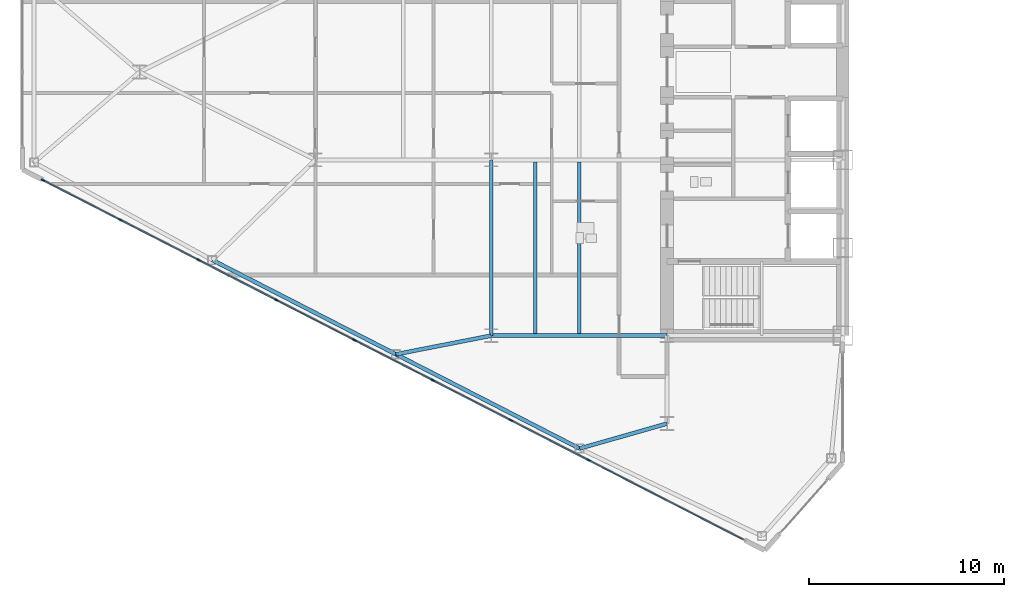
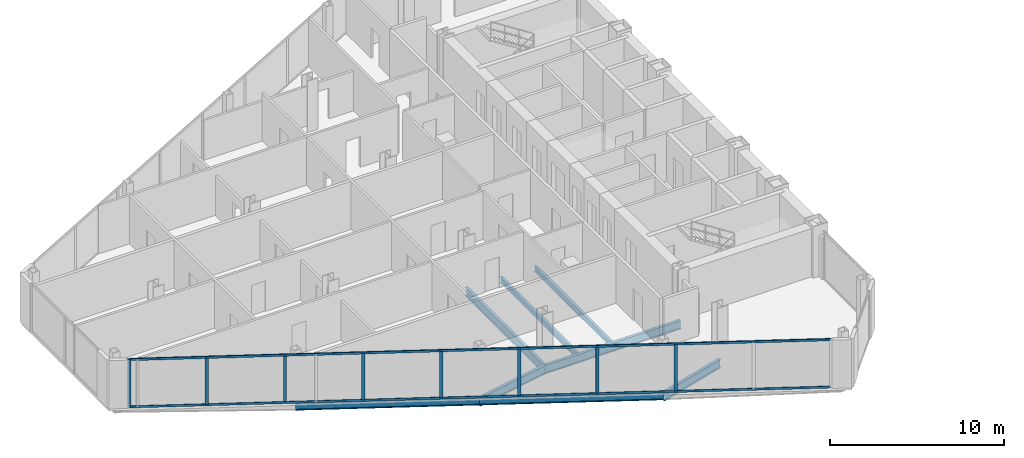
# One storey, part 3 of 24: 10 members, 8 beams, 1 element without a shape of its own.
"""IFC4 building model written with IfcOpenShell, lengths in metres."""

from ifc_helpers import new_model, si_unit, direction, frame, origin, origin_2d, place, context, subcontext, project, spatial, rectangle, i_section, extrude, source, transform, mapped, material, layer, layer_set, material_profile, profile_set, type_object, type_shapes, element, aggregate, save


model = new_model("IFC4")

# Units and contexts
model_context = context("Model", 3, precision=1e-05, world=origin(), true_north=direction((0.0, 1.0)))
body_context = subcontext(model_context, "Body", "Model", "MODEL_VIEW")
ifc_project = project(units=[si_unit("LENGTHUNIT", "METRE"), si_unit("AREAUNIT", "SQUARE_METRE"), si_unit("VOLUMEUNIT", "CUBIC_METRE"), si_unit("PLANEANGLEUNIT", "RADIAN"), si_unit("MASSUNIT", "GRAM", prefix="KILO")], contexts=[model_context])

# Site, building, storey
site_placement = place(None, origin())
site = spatial("IfcSite", under=ifc_project, at=site_placement, CompositionType="ELEMENT")
building_placement = place(site_placement, origin())
building = spatial("IfcBuilding", under=site, at=building_placement, Name="Seokmaru Belvedere", CompositionType="ELEMENT")
storey_placement = place(building_placement, frame((0.0, 0.0, 121.199951171875)))
storey = spatial("IfcBuildingStorey", under=building, at=storey_placement, Name="L32", CompositionType="ELEMENT", Elevation=121.199951171875)

# Beams
ifc_material_1 = material(Name="Steel SM355 (355 MPa)", Category="steel")
ifc_material_profile_1 = material_profile(ifc_material_1, i_section(OverallWidth=0.199951171875, OverallDepth=0.60009765625, WebThickness=0.010986328125, FlangeThickness=0.01708984375, at=origin_2d()), Name="H-600x200x11x17")
ifc_profile_set_1 = profile_set([ifc_material_profile_1], Name="Steel SM355 (355 MPa)")
beam_type_1 = type_object("IfcBeamType", Name="Primary Floor Girder H-600", PredefinedType="BEAM", material=ifc_profile_set_1)
shared_shape_1 = source(origin(), body_context, "Body", "SweptSolid", [
    extrude(i_section(OverallWidth=0.199951171875, OverallDepth=0.60009765625, WebThickness=0.010986328125, FlangeThickness=0.01708984375, at=origin_2d()), origin(), (0.0, 0.0, 1.0), 9.0),
])
for number, where, z_axis, x_axis, name in (
    (1, (-45.5, -13.5, -0.52001953125), (0.0, 1.0, 0.0), (-1.0, 0.0, 0.0), "L32 W Interior Grid Girder 1"),
    (2, (-45.5, -13.5, -0.52001953125), (1.0, 0.0, 0.0), (0.0, 1.0, 0.0), "L32 W Wing Primary Girder 1"),
):
    element("IfcBeam", number, at=place(storey_placement, frame(where, z_axis=z_axis, x_axis=x_axis)), inside=storey, type_object=beam_type_1, Name=name, PredefinedType="BEAM", context=body_context, shape_type="MappedRepresentation", body=[
        mapped(shared_shape_1, transform((0.0, 0.0, 0.0), scale=1.0)),
    ])
ifc_material_profile_2 = material_profile(ifc_material_1, i_section(OverallWidth=0.18505859375, OverallDepth=0.389892578125, WebThickness=0.008056640625, FlangeThickness=0.011962890625, at=origin_2d()), Name="H-390x185x8x12")
ifc_profile_set_2 = profile_set([ifc_material_profile_2], Name="Steel SM355 (355 MPa)")
beam_type_2 = type_object("IfcBeamType", Name="Secondary Floor Joist H-350", PredefinedType="JOIST", material=ifc_profile_set_2)
shared_shape_2 = source(origin(), body_context, "Body", "SweptSolid", [
    extrude(i_section(OverallWidth=0.18505859375, OverallDepth=0.389892578125, WebThickness=0.008056640625, FlangeThickness=0.011962890625, at=origin_2d()), origin(), (0.0, 0.0, 1.0), 8.7900390625),
])
type_shapes(beam_type_2, [shared_shape_2])
for number, where, z_axis, x_axis, name in (
    (3, (-43.25, -13.39501953125, -0.4150390625), (0.0, 1.0, 0.0), (-1.0, 0.0, 0.0), "L32 W Wing Inner Secondary Joist 1"),
    (4, (-41.0, -13.39501953125, -0.4150390625), (0.0, 1.0, 0.0), (-1.0, 0.0, 0.0), "L32 W Secondary Floor Joist 1"),
):
    element("IfcBeam", number, at=place(storey_placement, frame(where, z_axis=z_axis, x_axis=x_axis)), inside=storey, type_object=beam_type_2, Name=name, PredefinedType="JOIST", context=body_context, shape_type="MappedRepresentation", body=[
        mapped(shared_shape_2, transform((0.0, 0.0, 0.0), scale=1.0)),
    ])
ifc_material_profile_3 = material_profile(ifc_material_1, i_section(OverallWidth=0.199951171875, OverallDepth=0.5, WebThickness=0.010009765625, FlangeThickness=0.01611328125, at=origin_2d()), Name="H-500x200x10x16")
ifc_profile_set_3 = profile_set([ifc_material_profile_3], Name="Steel SM355 (355 MPa)")
beam_type_3 = type_object("IfcBeamType", Name="Perimeter Spandrel Beam H-500", PredefinedType="SPANDREL", material=ifc_profile_set_3)
shared_shape_3 = source(origin(), body_context, "Body", "SweptSolid", [
    extrude(i_section(OverallWidth=0.199951171875, OverallDepth=0.5, WebThickness=0.010009765625, FlangeThickness=0.01611328125, at=origin_2d()), origin(), (0.0, 0.0, 1.0), 10.56689453125),
])
type_shapes(beam_type_3, [shared_shape_3])
for number, where, z_axis, x_axis, name in (
    (5, (-40.975830078125, -19.277587890625, -0.469970703125), (-0.889701972758, 0.45654178305, 0.0), (-0.45654178305, -0.889701972758, 0.0), "L32 W Faceted Flank Spandrel S-2"),
    (6, (-50.377197265625, -14.453369140625, -0.469970703125), (-0.889692588006, 0.456560071455, 0.0), (-0.456560071455, -0.889692588006, 0.0), "L32 W Faceted Flank Spandrel S-3"),
):
    element("IfcBeam", number, at=place(storey_placement, frame(where, z_axis=z_axis, x_axis=x_axis)), inside=storey, type_object=beam_type_3, Name=name, PredefinedType="SPANDREL", context=body_context, shape_type="MappedRepresentation", body=[
        mapped(shared_shape_3, transform((0.0, 0.0, 0.0), scale=1.0)),
    ])
shared_shape_4 = source(origin(), body_context, "Body", "SweptSolid", [
    extrude(i_section(OverallWidth=0.199951171875, OverallDepth=0.60009765625, WebThickness=0.010986328125, FlangeThickness=0.01708984375, at=origin_2d()), origin(), (0.0, 0.0, 1.0), 4.654541015625),
])
beam_1_placement = place(storey_placement, frame((-40.975830078125, -19.277587890625, -0.52001953125), z_axis=(0.961593192625, 0.274478654721, 0.0), x_axis=(-0.274478654721, 0.961593192625, 0.0)))
element("IfcBeam", 7, at=beam_1_placement, inside=storey, type_object=beam_type_1, Name="L32 W Flank Radial Floor Girder S-1", PredefinedType="BEAM", context=body_context, shape_type="MappedRepresentation", body=[
    mapped(shared_shape_4, transform((0.0, 0.0, 0.0), scale=1.0)),
])
shared_shape_5 = source(origin(), body_context, "Body", "SweptSolid", [
    extrude(i_section(OverallWidth=0.199951171875, OverallDepth=0.60009765625, WebThickness=0.010986328125, FlangeThickness=0.01708984375, at=origin_2d()), origin(), (0.0, 0.0, 1.0), 4.969482421875),
])
type_shapes(beam_type_1, [shared_shape_1, shared_shape_4, shared_shape_5])
beam_2_placement = place(storey_placement, frame((-50.377197265625, -14.453369140625, -0.52001953125), z_axis=(0.98142544456, 0.19184393858, 0.0), x_axis=(-0.19184393858, 0.98142544456, 0.0)))
element("IfcBeam", 8, at=beam_2_placement, inside=storey, type_object=beam_type_1, Name="L32 W Flank Radial Floor Girder S-2", PredefinedType="BEAM", context=body_context, shape_type="MappedRepresentation", body=[
    mapped(shared_shape_5, transform((0.0, 0.0, 0.0), scale=1.0)),
])

# Curtain wall, members
ifc_material_2 = material(Name="Bronze Triple Insulating Glass", Category="glass")
ifc_layer = layer(ifc_material_2, 0.195068359375)
ifc_layer_set = layer_set([ifc_layer], Name="Bronze Triple Insulating Glass")
curtain_wall_type = type_object("IfcCurtainWallType", Name="Sky-Lobby and Mid-Rise Curtain Wall System CW-4", PredefinedType="NOTDEFINED", material=ifc_layer_set)
curtain_wall_placement = place(storey_placement, origin())
curtain_wall = element("IfcCurtainWall", 9, at=curtain_wall_placement, inside=storey, type_object=curtain_wall_type, Name="L32 Curtain Wall WF5", PredefinedType="NOTDEFINED")
ifc_material_3 = material(Name="Anodised Bronze Aluminium", Category="aluminium")
ifc_material_profile_4 = material_profile(ifc_material_3, rectangle(XDim=0.070068359375, YDim=0.195068359375, at=origin_2d()), Name="CW-M-70x195")
ifc_profile_set_4 = profile_set([ifc_material_profile_4], Name="Anodised Bronze Aluminium")
member_type_1 = type_object("IfcMemberType", Name="Bronze Unitised Mullion 70x195", PredefinedType="MULLION", material=ifc_profile_set_4)
shared_shape_6 = source(origin(), body_context, "Body", "SweptSolid", [
    extrude(rectangle(XDim=0.070068359375, YDim=0.195068359375, at=origin_2d()), origin(), (0.0, 0.0, 1.0), 3.380126953125),
])
member_1_placement = place(storey_placement, frame((-68.44580078125, -5.541015625, 0.0), z_axis=(0.0, 0.0, 1.0), x_axis=(0.456554528263, 0.889695432562, 0.0)))
member_1 = element("IfcMember", 10, at=member_1_placement, type_object=member_type_1, Name="CW:L32:WF5 Mullion 1", PredefinedType="MULLION", context=body_context, shape_type="MappedRepresentation", body=[
    mapped(shared_shape_6, transform((0.0, 0.0, 0.0), scale=1.0)),
])
shared_shape_7 = source(origin(), body_context, "Body", "SweptSolid", [
    extrude(rectangle(XDim=0.070068359375, YDim=0.195068359375, at=origin_2d()), origin(), (0.0, 0.0, 1.0), 3.25),
])
type_shapes(member_type_1, [shared_shape_6, shared_shape_7])
member_2_placement = place(storey_placement, frame((-64.48193359375, -7.574951171875, 0.06494140625), z_axis=(0.0, 0.0, 1.0), x_axis=(0.456554528263, 0.889695432562, 0.0)))
member_2 = element("IfcMember", 11, at=member_2_placement, type_object=member_type_1, Name="CW:L32:WF5 Mullion 2", PredefinedType="MULLION", context=body_context, shape_type="MappedRepresentation", body=[
    mapped(shared_shape_7, transform((0.0, 0.0, 0.0), scale=1.0)),
])
member_3_placement = place(storey_placement, frame((-60.4873046875, -9.625, 0.06494140625), z_axis=(0.0, 0.0, 1.0), x_axis=(0.456554528263, 0.889695432562, 0.0)))
member_3 = element("IfcMember", 12, at=member_3_placement, type_object=member_type_1, Name="CW:L32:WF5 Mullion 3", PredefinedType="MULLION", context=body_context, shape_type="MappedRepresentation", body=[
    mapped(shared_shape_7, transform((0.0, 0.0, 0.0), scale=1.0)),
])
member_4_placement = place(storey_placement, frame((-56.4921875, -11.675048828125, 0.06494140625), z_axis=(0.0, 0.0, 1.0), x_axis=(0.456554528263, 0.889695432562, 0.0)))
member_4 = element("IfcMember", 13, at=member_4_placement, type_object=member_type_1, Name="CW:L32:WF5 Mullion 4", PredefinedType="MULLION", context=body_context, shape_type="MappedRepresentation", body=[
    mapped(shared_shape_7, transform((0.0, 0.0, 0.0), scale=1.0)),
])
member_5_placement = place(storey_placement, frame((-52.497314453125, -13.72509765625, 0.06494140625), z_axis=(0.0, 0.0, 1.0), x_axis=(0.456554528263, 0.889695432562, 0.0)))
member_5 = element("IfcMember", 14, at=member_5_placement, type_object=member_type_1, Name="CW:L32:WF5 Mullion 5", PredefinedType="MULLION", context=body_context, shape_type="MappedRepresentation", body=[
    mapped(shared_shape_7, transform((0.0, 0.0, 0.0), scale=1.0)),
])
member_6_placement = place(storey_placement, frame((-48.502685546875, -15.77490234375, 0.06494140625), z_axis=(0.0, 0.0, 1.0), x_axis=(0.456554528263, 0.889695432562, 0.0)))
member_6 = element("IfcMember", 15, at=member_6_placement, type_object=member_type_1, Name="CW:L32:WF5 Mullion 6", PredefinedType="MULLION", context=body_context, shape_type="MappedRepresentation", body=[
    mapped(shared_shape_7, transform((0.0, 0.0, 0.0), scale=1.0)),
])
member_7_placement = place(storey_placement, frame((-44.5078125, -17.824951171875, 0.06494140625), z_axis=(0.0, 0.0, 1.0), x_axis=(0.456554528263, 0.889695432562, 0.0)))
member_7 = element("IfcMember", 16, at=member_7_placement, type_object=member_type_1, Name="CW:L32:WF5 Mullion 7", PredefinedType="MULLION", context=body_context, shape_type="MappedRepresentation", body=[
    mapped(shared_shape_7, transform((0.0, 0.0, 0.0), scale=1.0)),
])
member_8_placement = place(storey_placement, frame((-40.5126953125, -19.875, 0.06494140625), z_axis=(0.0, 0.0, 1.0), x_axis=(0.456554528263, 0.889695432562, 0.0)))
member_8 = element("IfcMember", 17, at=member_8_placement, type_object=member_type_1, Name="CW:L32:WF5 Mullion 8", PredefinedType="MULLION", context=body_context, shape_type="MappedRepresentation", body=[
    mapped(shared_shape_7, transform((0.0, 0.0, 0.0), scale=1.0)),
])
ifc_material_profile_5 = material_profile(ifc_material_3, rectangle(XDim=0.06494140625, YDim=0.14990234375, at=origin_2d()), Name="CW-T-65x150")
ifc_profile_set_5 = profile_set([ifc_material_profile_5], Name="Anodised Bronze Aluminium")
member_type_2 = type_object("IfcMemberType", Name="Bronze Unitised Transom 65x150", PredefinedType="USERDEFINED", material=ifc_profile_set_5)
shared_shape_8 = source(origin(), body_context, "Body", "SweptSolid", [
    extrude(rectangle(XDim=0.06494140625, YDim=0.14990234375, at=origin_2d()), origin(), (0.0, 0.0, 1.0), 40.271240234375),
])
type_shapes(member_type_2, [shared_shape_8])
member_9_placement = place(storey_placement, frame((-68.41455078125, -5.556884765625, 0.032470703125), z_axis=(0.889693089107, -0.456559094965, 0.0), x_axis=(0.456559094965, 0.889693089107, 0.0)))
member_9 = element("IfcMember", 18, at=member_9_placement, type_object=member_type_2, Name="CW:L32:WF5 Continuous Transom 1", ObjectType="TRANSOM", PredefinedType="USERDEFINED", context=body_context, shape_type="MappedRepresentation", body=[
    mapped(shared_shape_8, transform((0.0, 0.0, 0.0), scale=1.0)),
])
member_10_placement = place(storey_placement, frame((-68.41455078125, -5.556884765625, 3.34765625), z_axis=(0.889693089107, -0.456559094965, 0.0), x_axis=(0.456559094965, 0.889693089107, 0.0)))
member_10 = element("IfcMember", 19, at=member_10_placement, type_object=member_type_2, Name="CW:L32:WF5 Continuous Transom 2", ObjectType="TRANSOM", PredefinedType="USERDEFINED", context=body_context, shape_type="MappedRepresentation", body=[
    mapped(shared_shape_8, transform((0.0, 0.0, 0.0), scale=1.0)),
])
aggregate(curtain_wall, [member_1, member_2, member_3, member_4, member_5, member_6, member_7, member_8, member_9, member_10])

save(model, "model.ifc")
